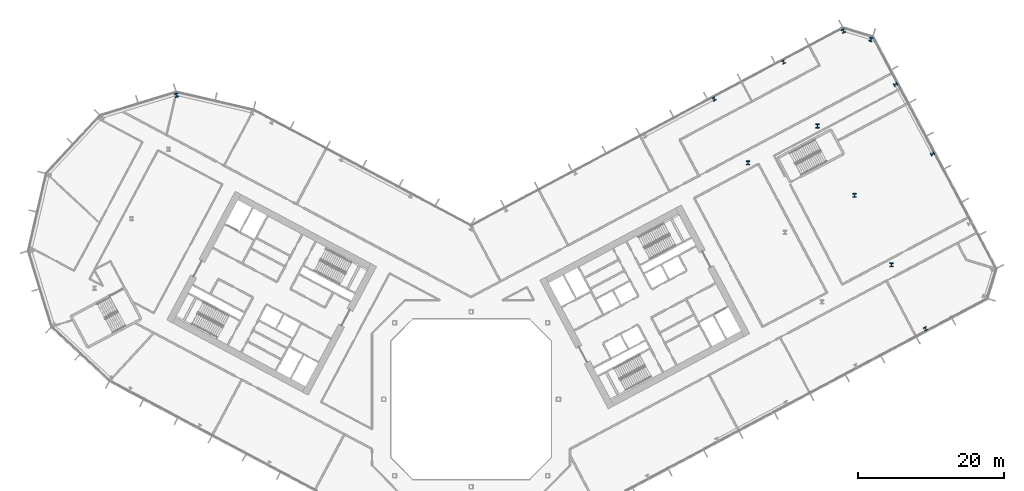
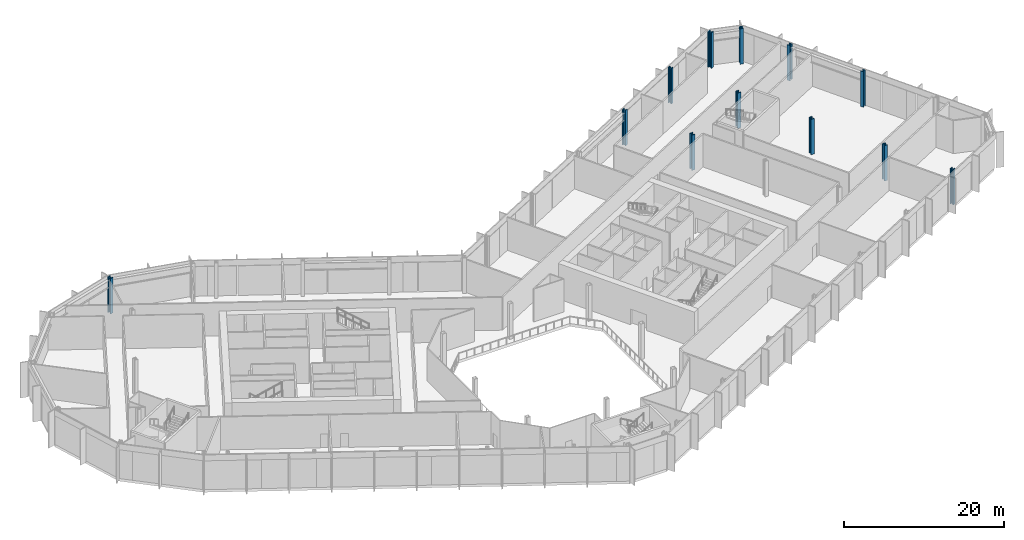
# One storey, part 4 of 32: 12 columns.
"""IFC4 building model written with IfcOpenShell, lengths in metres."""

from ifc_helpers import new_model, si_unit, direction, frame, origin, origin_2d, place, context, subcontext, project, spatial, i_section, extrude, material, material_profile, profile_set, type_object, element, save


model = new_model("IFC4")

# Units and contexts
model_context = context("Model", 3, precision=1e-05, world=origin(), true_north=direction((0.0, 1.0)))
body_context = subcontext(model_context, "Body", "Model", "MODEL_VIEW")
ifc_project = project(units=[si_unit("LENGTHUNIT", "METRE"), si_unit("AREAUNIT", "SQUARE_METRE"), si_unit("VOLUMEUNIT", "CUBIC_METRE"), si_unit("PLANEANGLEUNIT", "RADIAN"), si_unit("MASSUNIT", "GRAM", prefix="KILO")], contexts=[model_context])

# Site, building, storey
site_placement = place(None, origin())
site = spatial("IfcSite", under=ifc_project, at=site_placement, CompositionType="ELEMENT")
building_placement = place(site_placement, origin())
building = spatial("IfcBuilding", under=site, at=building_placement, Name="Cormorant Relay Tower", CompositionType="ELEMENT")
storey_placement = place(building_placement, frame((0.0, 0.0, 60.800048828125)))
storey = spatial("IfcBuildingStorey", under=building, at=storey_placement, Name="L11", CompositionType="ELEMENT", Elevation=60.800048828125)

# Columns
ifc_material_1 = material(Name="Steel ASTM A992 (Fy 345 MPa)", Category="steel")
ifc_material_profile_1 = material_profile(ifc_material_1, i_section(OverallWidth=0.45458984375, OverallDepth=0.569091796875, WebThickness=0.077880859375, FlangeThickness=0.124755859375, FilletRadius=0.015380859375, at=origin_2d()), Name="W360x1086")
ifc_profile_set_1 = profile_set([ifc_material_profile_1], Name="Steel ASTM A992 (Fy 345 MPa)")
column_type_1 = type_object("IfcColumnType", Name="Column W360x1086", PredefinedType="COLUMN", material=ifc_profile_set_1)
for number, where, z_axis, x_axis, name in (
    (1, (57.694091796875, 18.445068359375, 0.0), (0.0, 0.0, 1.0), (1.0, 0.0, 0.0), "Column L11-029"),
    (2, (52.6240234375, 27.98095703125, 0.0), (0.0, 0.0, 1.0), (1.0, 0.0, 0.0), "Column L11-037"),
    (3, (38.01806640625, 32.446044921875, 0.0), (0.0, 0.0, 1.0), (1.0, 0.0, 0.0), "Column L11-040"),
    (4, (47.552978515625, 37.51611328125, 0.0), (0.0, 0.0, 1.0), (1.0, 0.0, 0.0), "Column L11-045"),
    (5, (-40.451904296875, 41.73388671875, 0.0), (0.0, 0.0, 1.0), (-0.956304755963, -0.292371704723, 0.0), "Column L11-050"),
    (6, (54.866943359375, 49.385986328125, 0.0), (0.0, 0.0, 1.0), (-0.956304755963, 0.292371704723, 0.0), "Column L11-053"),
    (7, (51.10302734375, 50.537109375, 0.0), (0.0, 0.0, 1.0), (-0.882947592859, -0.469471562786, 0.0), "Column L11-054"),
):
    element("IfcColumn", number, at=place(storey_placement, frame(where, z_axis=z_axis, x_axis=x_axis)), inside=storey, type_object=column_type_1, Name=name, PredefinedType="COLUMN", context=body_context, shape_type="SweptSolid", body=[
        extrude(i_section(OverallWidth=0.45458984375, OverallDepth=0.569091796875, WebThickness=0.077880859375, FlangeThickness=0.124755859375, FilletRadius=0.015380859375, at=origin_2d()), origin(), (0.0, 0.0, 1.0), 5.39990234375),
    ])
ifc_material_2 = material(Name="Steel ASTM A992 (Fy 345 MPa)", Category="steel")
ifc_material_profile_2 = material_profile(ifc_material_2, i_section(OverallWidth=0.43701171875, OverallDepth=0.51318359375, WebThickness=0.060546875, FlangeThickness=0.096923828125, FilletRadius=0.015380859375, at=origin_2d()), Name="W360x818")
ifc_profile_set_2 = profile_set([ifc_material_profile_2], Name="Steel ASTM A992 (Fy 345 MPa)")
column_type_2 = type_object("IfcColumnType", Name="Column W360x818", PredefinedType="COLUMN", material=ifc_profile_set_2)
for number, where, z_axis, x_axis, name in (
    (8, (62.361083984375, 9.66796875, 0.0), (0.0, 0.0, 1.0), (0.882947592859, 0.469471562786, 0.0), "Column L11-020"),
    (9, (63.343017578125, 33.679931640625, 0.0), (0.0, 0.0, 1.0), (-0.469471562786, 0.882947592859, 0.0), "Column L11-042"),
    (10, (33.35107421875, 41.222900390625, 0.0), (0.0, 0.0, 1.0), (-0.882947592859, -0.469471562786, 0.0), "Column L11-049"),
    (11, (58.27197265625, 43.216064453125, 0.0), (0.0, 0.0, 1.0), (-0.469471562786, 0.882947592859, 0.0), "Column L11-051"),
    (12, (42.886962890625, 46.29296875, 0.0), (0.0, 0.0, 1.0), (-0.882947592859, -0.469471562786, 0.0), "Column L11-052"),
):
    element("IfcColumn", number, at=place(storey_placement, frame(where, z_axis=z_axis, x_axis=x_axis)), inside=storey, type_object=column_type_2, Name=name, PredefinedType="COLUMN", context=body_context, shape_type="SweptSolid", body=[
        extrude(i_section(OverallWidth=0.43701171875, OverallDepth=0.51318359375, WebThickness=0.060546875, FlangeThickness=0.096923828125, FilletRadius=0.015380859375, at=origin_2d()), origin(), (0.0, 0.0, 1.0), 5.39990234375),
    ])

save(model, "model.ifc")
